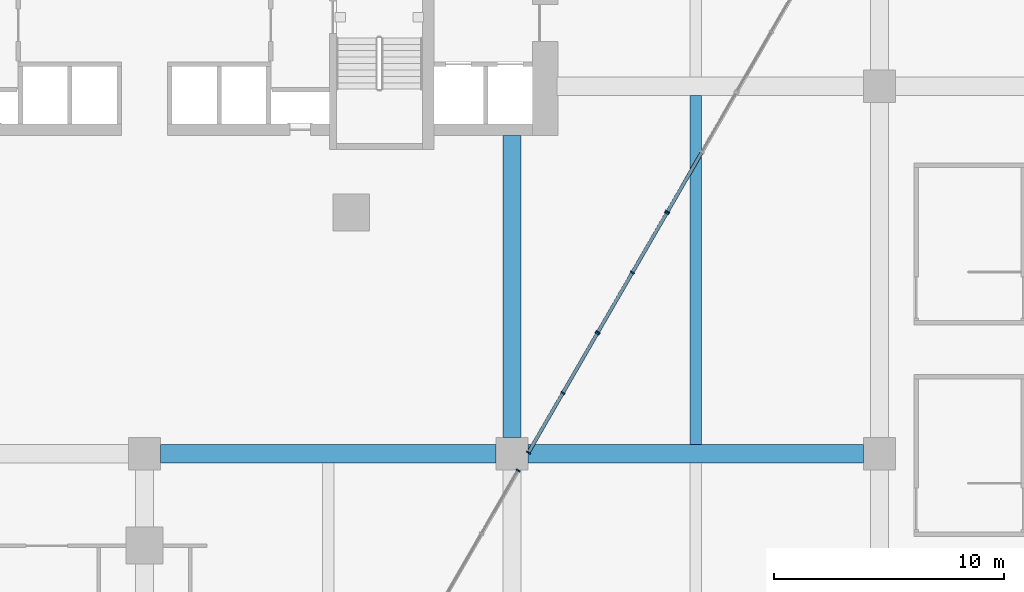
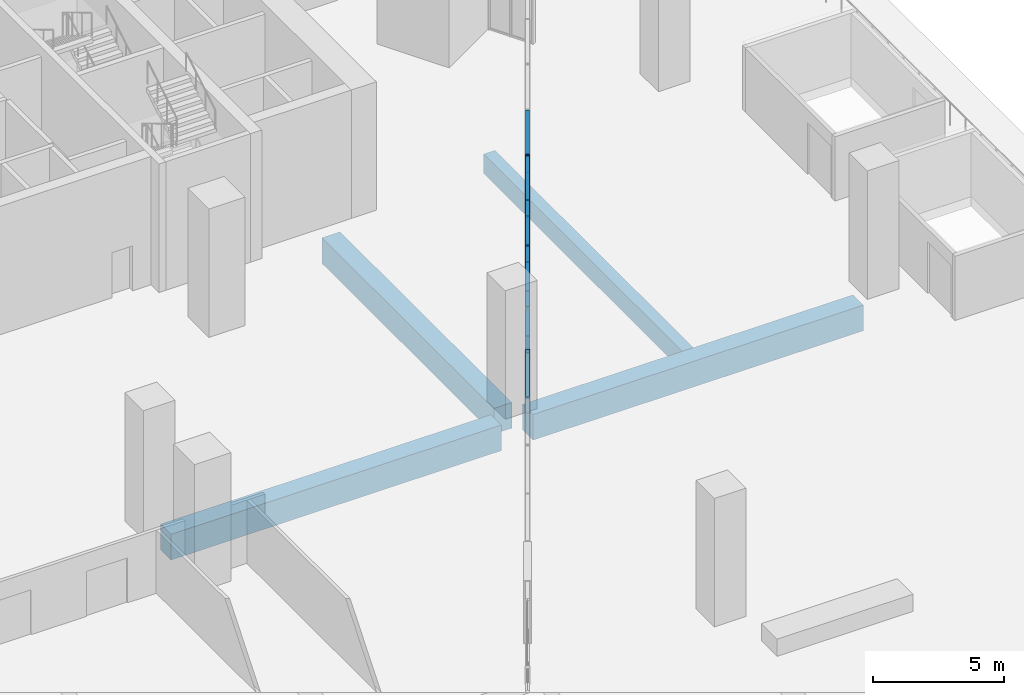
# One storey, part 10 of 25: 18 members, 4 beams, 4 elements without a shape of their own.
"""IFC4 building model written with IfcOpenShell, lengths in metres."""

from ifc_helpers import new_model, si_unit, direction, frame, origin, origin_2d, place, context, subcontext, project, spatial, rectangle, extrude, material, material_profile, profile_set, type_object, element, aggregate, save


model = new_model("IFC4")

# Units and contexts
model_context = context("Model", 3, precision=1e-05, world=origin(), true_north=direction((0.0, 1.0)))
body_context = subcontext(model_context, "Body", "Model", "MODEL_VIEW")
ifc_project = project(units=[si_unit("LENGTHUNIT", "METRE"), si_unit("AREAUNIT", "SQUARE_METRE"), si_unit("VOLUMEUNIT", "CUBIC_METRE"), si_unit("PLANEANGLEUNIT", "RADIAN"), si_unit("MASSUNIT", "GRAM", prefix="KILO")], contexts=[model_context])

# Site, building, storey
site_placement = place(None, origin())
site = spatial("IfcSite", under=ifc_project, at=site_placement, CompositionType="ELEMENT")
building_placement = place(site_placement, origin())
building = spatial("IfcBuilding", under=site, at=building_placement, Name="Calabash Gate Tower", CompositionType="ELEMENT")
storey_placement = place(building_placement, frame((0.0, 0.0, 40.0)))
storey = spatial("IfcBuildingStorey", under=building, at=storey_placement, Name="L05", CompositionType="ELEMENT", Elevation=40.0)

# Beams
ifc_material_1 = material(Name="Concrete C50/60", Category="concrete")
ifc_material_profile_1 = material_profile(ifc_material_1, rectangle(XDim=0.5, YDim=0.89990234375, at=origin_2d()))
ifc_profile_set_1 = profile_set([ifc_material_profile_1], Name="Concrete C50/60")
beam_type_1 = type_object("IfcBeamType", Name="Floor beam RC 500x900 Concrete C50/60", PredefinedType="BEAM", material=ifc_profile_set_1)
beam_1_placement = place(storey_placement, frame((24.0, -7.60009765625, -0.89990234375), z_axis=(0.0, 1.0, 0.0), x_axis=(-1.0, 0.0, 0.0)))
element("IfcBeam", 1, at=beam_1_placement, inside=storey, type_object=beam_type_1, Name="Floor beam L05 14", PredefinedType="BEAM", context=body_context, shape_type="SweptSolid", body=[
    extrude(rectangle(XDim=0.5, YDim=0.89990234375, at=origin_2d()), origin(), (0.0, 0.0, 1.0), 15.2001953125),
])
ifc_material_2 = material(Name="Concrete C50/60", Category="concrete")
ifc_material_profile_2 = material_profile(ifc_material_2, rectangle(XDim=0.800048828125, YDim=1.199951171875, at=origin_2d()))
ifc_profile_set_2 = profile_set([ifc_material_profile_2], Name="Concrete C50/60")
beam_type_2 = type_object("IfcBeamType", Name="Grid girder RC 800x1200 Concrete C50/60", PredefinedType="BEAM", material=ifc_profile_set_2)
beam_2_placement = place(storey_placement, frame((16.0, -7.300048828125, -1.050048828125), z_axis=(0.0, 1.0, 0.0), x_axis=(-1.0, 0.0, 0.0)))
element("IfcBeam", 2, at=beam_2_placement, inside=storey, type_object=beam_type_2, Name="Grid girder L05 16", PredefinedType="BEAM", context=body_context, shape_type="SweptSolid", body=[
    extrude(rectangle(XDim=0.800048828125, YDim=1.199951171875, at=origin_2d()), origin(), (0.0, 0.0, 1.0), 13.153076171875),
])
for number, where, z_axis, x_axis, name in (
    (3, (0.699951171875, -8.0, -1.050048828125), (1.0, 0.0, 0.0), (0.0, 1.0, 0.0), "Grid girder L05 36"),
    (4, (16.699951171875, -8.0, -1.050048828125), (1.0, 0.0, 0.0), (0.0, 1.0, 0.0), "Grid girder L05 37"),
):
    element("IfcBeam", number, at=place(storey_placement, frame(where, z_axis=z_axis, x_axis=x_axis)), inside=storey, type_object=beam_type_2, Name=name, PredefinedType="BEAM", context=body_context, shape_type="SweptSolid", body=[
        extrude(rectangle(XDim=0.800048828125, YDim=1.199951171875, at=origin_2d()), origin(), (0.0, 0.0, 1.0), 14.60009765625),
    ])

# Curtain wall, member
ifc_material_3 = material(Name="Anodised aluminium frame, bronze finish, clear laminated impact-rated glazing", Category="aluminium")
curtain_wall_type = type_object("IfcCurtainWallType", Name="Curtain wall CWF podium shopfront", PredefinedType="NOTDEFINED", material=ifc_material_3)
curtain_wall_1_placement = place(storey_placement, origin())
curtain_wall_1 = element("IfcCurtainWall", 5, at=curtain_wall_1_placement, inside=storey, type_object=curtain_wall_type, Name="Curtain wall CWF L05 lobby 2.1.1", PredefinedType="NOTDEFINED")
ifc_material_4 = material(Name="Anodised aluminium frame, bronze finish", Category="aluminium")
ifc_material_profile_3 = material_profile(ifc_material_4, rectangle(XDim=0.199951171875, YDim=0.06494140625, at=origin_2d()))
ifc_profile_set_3 = profile_set([ifc_material_profile_3], Name="Anodised aluminium frame, bronze finish")
member_type_1 = type_object("IfcMemberType", Name="Mullion CWF 65x200", PredefinedType="MULLION", material=ifc_profile_set_3)
member_1_placement = place(storey_placement, frame((16.266845703125, -8.730224609375, 0.0), z_axis=(0.0, 0.0, 1.0), x_axis=(-0.86602535653, 0.500000081848, 0.0)))
member_1 = element("IfcMember", 6, at=member_1_placement, type_object=member_type_1, Name="CWF mullion 3", PredefinedType="MULLION", context=body_context, shape_type="SweptSolid", body=[
    extrude(rectangle(XDim=0.199951171875, YDim=0.06494140625, at=origin_2d()), origin(), (0.0, 0.0, 1.0), 2.949951171875),
])
aggregate(curtain_wall_1, [member_1])

# Curtain wall, members
curtain_wall_2_placement = place(storey_placement, origin())
curtain_wall_2 = element("IfcCurtainWall", 7, at=curtain_wall_2_placement, inside=storey, type_object=curtain_wall_type, Name="Curtain wall CWF L05 lobby 2.2.0", PredefinedType="NOTDEFINED")
member_2_placement = place(storey_placement, frame((16.71826171875, -7.9482421875, 0.0), z_axis=(0.0, 0.0, 1.0), x_axis=(-0.866025444773, 0.499999929005, 0.0)))
member_2 = element("IfcMember", 8, at=member_2_placement, type_object=member_type_1, Name="CWF mullion 1", PredefinedType="MULLION", context=body_context, shape_type="SweptSolid", body=[
    extrude(rectangle(XDim=0.199951171875, YDim=0.06494140625, at=origin_2d()), origin(), (0.0, 0.0, 1.0), 2.949951171875),
])
member_3_placement = place(storey_placement, frame((18.21484375, -5.35595703125, 0.0), z_axis=(0.0, 0.0, 1.0), x_axis=(-0.866025444773, 0.499999929005, 0.0)))
member_3 = element("IfcMember", 9, at=member_3_placement, type_object=member_type_1, Name="CWF mullion 2", PredefinedType="MULLION", context=body_context, shape_type="SweptSolid", body=[
    extrude(rectangle(XDim=0.199951171875, YDim=0.06494140625, at=origin_2d()), origin(), (0.0, 0.0, 1.0), 2.949951171875),
])
member_4_placement = place(storey_placement, frame((19.711669921875, -2.763671875, 0.0), z_axis=(0.0, 0.0, 1.0), x_axis=(-0.866025444773, 0.499999929005, 0.0)))
member_4 = element("IfcMember", 10, at=member_4_placement, type_object=member_type_1, Name="CWF mullion 3", PredefinedType="MULLION", context=body_context, shape_type="SweptSolid", body=[
    extrude(rectangle(XDim=0.199951171875, YDim=0.06494140625, at=origin_2d()), origin(), (0.0, 0.0, 1.0), 2.949951171875),
])

curtain_wall_3_placement = place(storey_placement, origin())
curtain_wall_3 = element("IfcCurtainWall", 11, at=curtain_wall_3_placement, inside=storey, type_object=curtain_wall_type, Name="Curtain wall CWF L05 lobby 2.2.1", PredefinedType="NOTDEFINED")
member_5_placement = place(storey_placement, frame((19.744140625, -2.707275390625, 0.0), z_axis=(0.0, 0.0, 1.0), x_axis=(-0.866025403462, 0.500000000559, 0.0)))
member_5 = element("IfcMember", 12, at=member_5_placement, type_object=member_type_1, Name="CWF mullion 1", PredefinedType="MULLION", context=body_context, shape_type="SweptSolid", body=[
    extrude(rectangle(XDim=0.199951171875, YDim=0.06494140625, at=origin_2d()), origin(), (0.0, 0.0, 1.0), 2.949951171875),
])
member_6_placement = place(storey_placement, frame((21.24072265625, -0.114990234375, 0.0), z_axis=(0.0, 0.0, 1.0), x_axis=(-0.866025403462, 0.500000000559, 0.0)))
member_6 = element("IfcMember", 13, at=member_6_placement, type_object=member_type_1, Name="CWF mullion 2", PredefinedType="MULLION", context=body_context, shape_type="SweptSolid", body=[
    extrude(rectangle(XDim=0.199951171875, YDim=0.06494140625, at=origin_2d()), origin(), (0.0, 0.0, 1.0), 2.949951171875),
])
member_7_placement = place(storey_placement, frame((22.737548828125, 2.477294921875, 0.0), z_axis=(0.0, 0.0, 1.0), x_axis=(-0.866025403462, 0.500000000559, 0.0)))
member_7 = element("IfcMember", 14, at=member_7_placement, type_object=member_type_1, Name="CWF mullion 3", PredefinedType="MULLION", context=body_context, shape_type="SweptSolid", body=[
    extrude(rectangle(XDim=0.199951171875, YDim=0.06494140625, at=origin_2d()), origin(), (0.0, 0.0, 1.0), 2.949951171875),
])

# Curtain wall, member
curtain_wall_4_placement = place(storey_placement, origin())
curtain_wall_4 = element("IfcCurtainWall", 15, at=curtain_wall_4_placement, inside=storey, type_object=curtain_wall_type, Name="Curtain wall CWF L05 lobby 2.2.2", PredefinedType="NOTDEFINED")
member_8_placement = place(storey_placement, frame((22.77001953125, 2.53369140625, 0.0), z_axis=(0.0, 0.0, 1.0), x_axis=(-0.866025331903, 0.500000124502, 0.0)))
member_8 = element("IfcMember", 16, at=member_8_placement, type_object=member_type_1, Name="CWF mullion 1", PredefinedType="MULLION", context=body_context, shape_type="SweptSolid", body=[
    extrude(rectangle(XDim=0.199951171875, YDim=0.06494140625, at=origin_2d()), origin(), (0.0, 0.0, 1.0), 2.949951171875),
])

# Member
ifc_material_5 = material(Name="Anodised aluminium frame, bronze finish", Category="aluminium")
ifc_material_profile_4 = material_profile(ifc_material_5, rectangle(XDim=0.14990234375, YDim=0.06494140625, at=origin_2d()))
ifc_profile_set_4 = profile_set([ifc_material_profile_4], Name="Anodised aluminium frame, bronze finish")
member_type_2 = type_object("IfcMemberType", Name="Transom CWF 65x150", PredefinedType="USERDEFINED", material=ifc_profile_set_4)
member_9_placement = place(storey_placement, frame((16.734619140625, -7.920166015625, 0.032470703125), z_axis=(0.499967823365, 0.866043980176, 0.0), x_axis=(-0.866043980176, 0.499967823365, 0.0)))
member_9 = element("IfcMember", 17, at=member_9_placement, type_object=member_type_2, Name="CWF transom 1.1", ObjectType="TRANSOM", PredefinedType="USERDEFINED", context=body_context, shape_type="SweptSolid", body=[
    extrude(rectangle(XDim=0.14990234375, YDim=0.06494140625, at=origin_2d()), origin(), (0.0, 0.0, 1.0), 2.928466796875),
])

member_10_placement = place(storey_placement, frame((16.734619140625, -7.920166015625, 2.91748046875), z_axis=(0.499967823365, 0.866043980176, 0.0), x_axis=(-0.866043980176, 0.499967823365, 0.0)))
member_10 = element("IfcMember", 18, at=member_10_placement, type_object=member_type_2, Name="CWF transom 1.2", ObjectType="TRANSOM", PredefinedType="USERDEFINED", context=body_context, shape_type="SweptSolid", body=[
    extrude(rectangle(XDim=0.14990234375, YDim=0.06494140625, at=origin_2d()), origin(), (0.0, 0.0, 1.0), 2.928466796875),
])

member_11_placement = place(storey_placement, frame((18.231201171875, -5.327880859375, 0.032470703125), z_axis=(0.499967823365, 0.866043980176, 0.0), x_axis=(-0.866043980176, 0.499967823365, 0.0)))
member_11 = element("IfcMember", 19, at=member_11_placement, type_object=member_type_2, Name="CWF transom 2.1", ObjectType="TRANSOM", PredefinedType="USERDEFINED", context=body_context, shape_type="SweptSolid", body=[
    extrude(rectangle(XDim=0.14990234375, YDim=0.06494140625, at=origin_2d()), origin(), (0.0, 0.0, 1.0), 2.928466796875),
])

member_12_placement = place(storey_placement, frame((18.231201171875, -5.327880859375, 2.91748046875), z_axis=(0.499967823365, 0.866043980176, 0.0), x_axis=(-0.866043980176, 0.499967823365, 0.0)))
member_12 = element("IfcMember", 20, at=member_12_placement, type_object=member_type_2, Name="CWF transom 2.2", ObjectType="TRANSOM", PredefinedType="USERDEFINED", context=body_context, shape_type="SweptSolid", body=[
    extrude(rectangle(XDim=0.14990234375, YDim=0.06494140625, at=origin_2d()), origin(), (0.0, 0.0, 1.0), 2.928466796875),
])

aggregate(curtain_wall_2, [member_2, member_3, member_4, member_9, member_10, member_11, member_12])

member_13_placement = place(storey_placement, frame((19.76025390625, -2.67919921875, 0.032470703125), z_axis=(0.50003034938, 0.866007880853, 0.0), x_axis=(-0.866007880853, 0.50003034938, 0.0)))
member_13 = element("IfcMember", 21, at=member_13_placement, type_object=member_type_2, Name="CWF transom 1.1", ObjectType="TRANSOM", PredefinedType="USERDEFINED", context=body_context, shape_type="SweptSolid", body=[
    extrude(rectangle(XDim=0.14990234375, YDim=0.06494140625, at=origin_2d()), origin(), (0.0, 0.0, 1.0), 2.928466796875),
])

member_14_placement = place(storey_placement, frame((19.76025390625, -2.67919921875, 2.91748046875), z_axis=(0.50003034938, 0.866007880853, 0.0), x_axis=(-0.866007880853, 0.50003034938, 0.0)))
member_14 = element("IfcMember", 22, at=member_14_placement, type_object=member_type_2, Name="CWF transom 1.2", ObjectType="TRANSOM", PredefinedType="USERDEFINED", context=body_context, shape_type="SweptSolid", body=[
    extrude(rectangle(XDim=0.14990234375, YDim=0.06494140625, at=origin_2d()), origin(), (0.0, 0.0, 1.0), 2.928466796875),
])

member_15_placement = place(storey_placement, frame((21.257080078125, -0.0869140625, 0.032470703125), z_axis=(0.499967823365, 0.866043980176, 0.0), x_axis=(-0.866043980176, 0.499967823365, 0.0)))
member_15 = element("IfcMember", 23, at=member_15_placement, type_object=member_type_2, Name="CWF transom 2.1", ObjectType="TRANSOM", PredefinedType="USERDEFINED", context=body_context, shape_type="SweptSolid", body=[
    extrude(rectangle(XDim=0.14990234375, YDim=0.06494140625, at=origin_2d()), origin(), (0.0, 0.0, 1.0), 2.928466796875),
])

member_16_placement = place(storey_placement, frame((21.257080078125, -0.0869140625, 2.91748046875), z_axis=(0.499967823365, 0.866043980176, 0.0), x_axis=(-0.866043980176, 0.499967823365, 0.0)))
member_16 = element("IfcMember", 24, at=member_16_placement, type_object=member_type_2, Name="CWF transom 2.2", ObjectType="TRANSOM", PredefinedType="USERDEFINED", context=body_context, shape_type="SweptSolid", body=[
    extrude(rectangle(XDim=0.14990234375, YDim=0.06494140625, at=origin_2d()), origin(), (0.0, 0.0, 1.0), 2.928466796875),
])

aggregate(curtain_wall_3, [member_5, member_6, member_7, member_13, member_14, member_15, member_16])

member_17_placement = place(storey_placement, frame((22.7861328125, 2.561767578125, 0.032470703125), z_axis=(0.500003924108, 0.866023138188, 0.0), x_axis=(-0.866023138188, 0.500003924108, 0.0)))
member_17 = element("IfcMember", 25, at=member_17_placement, type_object=member_type_2, Name="CWF transom 1.1", ObjectType="TRANSOM", PredefinedType="USERDEFINED", context=body_context, shape_type="SweptSolid", body=[
    extrude(rectangle(XDim=0.14990234375, YDim=0.06494140625, at=origin_2d()), origin(), (0.0, 0.0, 1.0), 2.92822265625),
])

member_18_placement = place(storey_placement, frame((22.7861328125, 2.561767578125, 2.91748046875), z_axis=(0.500003924108, 0.866023138188, 0.0), x_axis=(-0.866023138188, 0.500003924108, 0.0)))
member_18 = element("IfcMember", 26, at=member_18_placement, type_object=member_type_2, Name="CWF transom 1.2", ObjectType="TRANSOM", PredefinedType="USERDEFINED", context=body_context, shape_type="SweptSolid", body=[
    extrude(rectangle(XDim=0.14990234375, YDim=0.06494140625, at=origin_2d()), origin(), (0.0, 0.0, 1.0), 2.92822265625),
])

aggregate(curtain_wall_4, [member_8, member_17, member_18])

save(model, "model.ifc")
